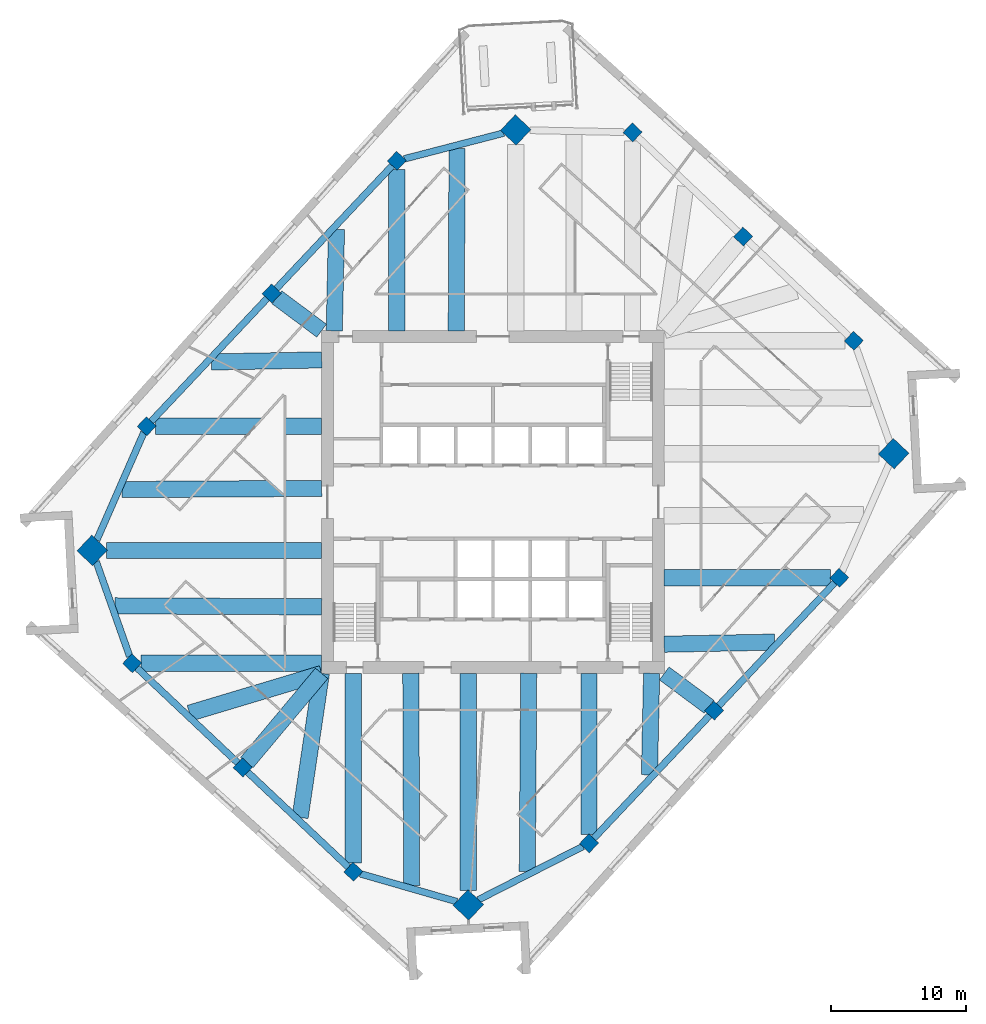
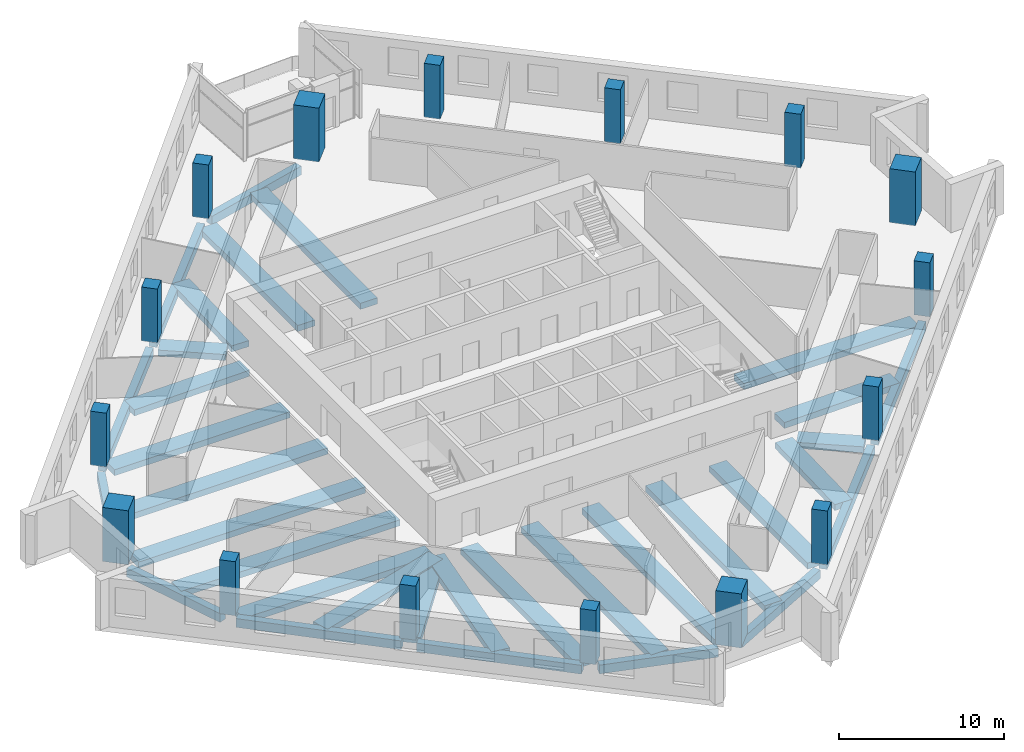
# One storey, part 1 of 12: 33 beams, 16 columns.
"""IFC4 building model written with IfcOpenShell, lengths in metres."""

from ifc_helpers import new_model, si_unit, direction, frame, origin, origin_2d, place, context, subcontext, project, spatial, rectangle, extrude, material, material_profile, profile_set, type_object, element, save


model = new_model("IFC4")

# Units and contexts
model_context = context("Model", 3, precision=1e-05, world=origin(), true_north=direction((0.0, 1.0)))
body_context = subcontext(model_context, "Body", "Model", "MODEL_VIEW")
ifc_project = project(units=[si_unit("LENGTHUNIT", "METRE"), si_unit("AREAUNIT", "SQUARE_METRE"), si_unit("VOLUMEUNIT", "CUBIC_METRE"), si_unit("PLANEANGLEUNIT", "RADIAN"), si_unit("MASSUNIT", "GRAM", prefix="KILO")], contexts=[model_context])

# Site, building, storey
site_placement = place(None, origin())
site = spatial("IfcSite", under=ifc_project, at=site_placement, CompositionType="ELEMENT")
building_placement = place(site_placement, origin())
building = spatial("IfcBuilding", under=site, at=building_placement, Name="Dilmun Exchange Tower", CompositionType="ELEMENT")
storey_placement = place(building_placement, frame((0.0, 0.0, 217.300048828125)))
storey = spatial("IfcBuildingStorey", under=building, at=storey_placement, Name="L51", CompositionType="ELEMENT", Elevation=217.300048828125)

# Columns
ifc_material_1 = material(Name="Concrete C60/75", Category="concrete")
ifc_material_profile_1 = material_profile(ifc_material_1, rectangle(XDim=1.60009765625, YDim=1.60009765625, at=origin_2d()), Name="1600 x 1600")
ifc_profile_set_1 = profile_set([ifc_material_profile_1], Name="Concrete C60/75")
column_type_1 = type_object("IfcColumnType", Name="RC mega column 1600 x 1600 C60/75", PredefinedType="COLUMN", material=ifc_profile_set_1)
for number, where, z_axis, x_axis, name in (
    (1, (1.68505859375, 27.5380859375, 0.0), (0.0, 0.0, 1.0), (0.685916152371, 0.727680583715, 0.0), "Mega column M1"),
    (2, (-29.658935546875, -3.58203125, 0.0), (0.0, 0.0, 1.0), (0.685916152371, 0.727680583715, 0.0), "Mega column M2"),
    (3, (-1.824951171875, -29.818115234375, 0.0), (0.0, 0.0, 1.0), (0.685916152371, 0.727680583715, 0.0), "Mega column M3"),
    (4, (29.658935546875, 3.58203125, 0.0), (0.0, 0.0, 1.0), (0.685916152371, 0.727680583715, 0.0), "Mega column M4"),
):
    element("IfcColumn", number, at=place(storey_placement, frame(where, z_axis=z_axis, x_axis=x_axis)), inside=storey, type_object=column_type_1, Name=name, PredefinedType="COLUMN", context=body_context, shape_type="SweptSolid", body=[
        extrude(rectangle(XDim=1.60009765625, YDim=1.60009765625, at=origin_2d()), origin(), (0.0, 0.0, 1.0), 4.0),
    ])
ifc_material_profile_2 = material_profile(ifc_material_1, rectangle(XDim=1.0, YDim=1.0, at=origin_2d()), Name="1000 x 1000")
ifc_profile_set_2 = profile_set([ifc_material_profile_2], Name="Concrete C60/75")
column_type_2 = type_object("IfcColumnType", Name="RC ring column 1000 x 1000 C60/75", PredefinedType="COLUMN", material=ifc_profile_set_2)
for number, where, z_axis, x_axis, name in (
    (5, (-7.113037109375, 25.257080078125, 0.0), (0.0, 0.0, 1.0), (0.685916152371, 0.727680583715, 0.0), "Ring column R01"),
    (6, (-16.373046875, 15.43310546875, 0.0), (0.0, 0.0, 1.0), (0.685916152371, 0.727680583715, 0.0), "Ring column R02"),
    (7, (-25.633056640625, 5.60888671875, 0.0), (0.0, 0.0, 1.0), (0.685916152371, 0.727680583715, 0.0), "Ring column R03"),
    (8, (-26.7060546875, -11.930908203125, 0.0), (0.0, 0.0, 1.0), (0.685916152371, 0.727680583715, 0.0), "Ring column R04"),
    (9, (-18.52001953125, -19.64697265625, 0.0), (0.0, 0.0, 1.0), (0.685916152371, 0.727680583715, 0.0), "Ring column R05"),
    (10, (-10.3330078125, -27.364013671875, 0.0), (0.0, 0.0, 1.0), (0.685916152371, 0.727680583715, 0.0), "Ring column R06"),
    (11, (7.113037109375, -25.257080078125, 0.0), (0.0, 0.0, 1.0), (0.685916152371, 0.727680583715, 0.0), "Ring column R07"),
    (12, (16.373046875, -15.43310546875, 0.0), (0.0, 0.0, 1.0), (0.685916152371, 0.727680583715, 0.0), "Ring column R08"),
    (13, (25.633056640625, -5.60888671875, 0.0), (0.0, 0.0, 1.0), (0.685916152371, 0.727680583715, 0.0), "Ring column R09"),
    (14, (26.7060546875, 11.930908203125, 0.0), (0.0, 0.0, 1.0), (0.685916152371, 0.727680583715, 0.0), "Ring column R10"),
    (15, (18.52001953125, 19.64697265625, 0.0), (0.0, 0.0, 1.0), (0.685916152371, 0.727680583715, 0.0), "Ring column R11"),
    (16, (10.3330078125, 27.364013671875, 0.0), (0.0, 0.0, 1.0), (0.685916152371, 0.727680583715, 0.0), "Ring column R12"),
):
    element("IfcColumn", number, at=place(storey_placement, frame(where, z_axis=z_axis, x_axis=x_axis)), inside=storey, type_object=column_type_2, Name=name, PredefinedType="COLUMN", context=body_context, shape_type="SweptSolid", body=[
        extrude(rectangle(XDim=1.0, YDim=1.0, at=origin_2d()), origin(), (0.0, 0.0, 1.0), 4.0),
    ])

# Beams
ifc_material_2 = material(Name="Concrete C40/50", Category="concrete")
ifc_material_profile_3 = material_profile(ifc_material_2, rectangle(XDim=1.199951171875, YDim=0.449951171875, at=origin_2d()), Name="1200 x 450")
ifc_profile_set_3 = profile_set([ifc_material_profile_3], Name="Concrete C40/50")
beam_type_1 = type_object("IfcBeamType", Name="RC band beam 1200 x 450 C40/50", PredefinedType="BEAM", material=ifc_profile_set_3)
beam_1_placement = place(storey_placement, frame((-7.113037109375, 24.596923828125, -0.705078125), z_axis=(0.0, -1.0, 0.0), x_axis=(1.0, 0.0, 0.0)))
element("IfcBeam", 17, at=beam_1_placement, inside=storey, type_object=beam_type_1, Name="Band beam 2", PredefinedType="BEAM", context=body_context, shape_type="SweptSolid", body=[
    extrude(rectangle(XDim=1.199951171875, YDim=0.449951171875, at=origin_2d()), origin(), (0.0, 0.0, 1.0), 11.923828125),
])
beam_2_placement = place(storey_placement, frame((-15.99072265625, 15.148681640625, -0.705078125), z_axis=(0.802264832552, -0.596968289317, 0.0), x_axis=(0.596968289317, 0.802264832552, 0.0)))
element("IfcBeam", 18, at=beam_2_placement, inside=storey, type_object=beam_type_1, Name="Band beam 3", PredefinedType="BEAM", context=body_context, shape_type="SweptSolid", body=[
    extrude(rectangle(XDim=1.199951171875, YDim=0.449951171875, at=origin_2d()), origin(), (0.0, 0.0, 1.0), 4.12890625),
])
beam_3_placement = place(storey_placement, frame((-24.972900390625, 5.60888671875, -0.705078125), z_axis=(1.0, 0.0, 0.0), x_axis=(0.0, 1.0, 0.0)))
element("IfcBeam", 19, at=beam_3_placement, inside=storey, type_object=beam_type_1, Name="Band beam 4", PredefinedType="BEAM", context=body_context, shape_type="SweptSolid", body=[
    extrude(rectangle(XDim=1.199951171875, YDim=0.449951171875, at=origin_2d()), origin(), (0.0, 0.0, 1.0), 12.2998046875),
])
beam_4_placement = place(storey_placement, frame((-28.586669921875, -3.58203125, -0.705078125), z_axis=(1.0, 0.0, 0.0), x_axis=(0.0, 1.0, 0.0)))
element("IfcBeam", 20, at=beam_4_placement, inside=storey, type_object=beam_type_1, Name="Band beam 5", PredefinedType="BEAM", context=body_context, shape_type="SweptSolid", body=[
    extrude(rectangle(XDim=1.199951171875, YDim=0.449951171875, at=origin_2d()), origin(), (0.0, 0.0, 1.0), 15.91357421875),
])
beam_5_placement = place(storey_placement, frame((-26.0458984375, -11.930908203125, -0.705078125), z_axis=(1.0, 0.0, 0.0), x_axis=(0.0, 1.0, 0.0)))
element("IfcBeam", 21, at=beam_5_placement, inside=storey, type_object=beam_type_1, Name="Band beam 6", PredefinedType="BEAM", context=body_context, shape_type="SweptSolid", body=[
    extrude(rectangle(XDim=1.199951171875, YDim=0.449951171875, at=origin_2d()), origin(), (0.0, 0.0, 1.0), 13.372802734375),
])
beam_6_placement = place(storey_placement, frame((-18.2158203125, -19.28369140625, -0.705078125), z_axis=(0.642200063897, 0.766537068856, 0.0), x_axis=(-0.766537068856, 0.642200063897, 0.0)))
element("IfcBeam", 22, at=beam_6_placement, inside=storey, type_object=beam_type_1, Name="Band beam 7", PredefinedType="BEAM", context=body_context, shape_type="SweptSolid", body=[
    extrude(rectangle(XDim=1.199951171875, YDim=0.449951171875, at=origin_2d()), origin(), (0.0, 0.0, 1.0), 8.615966796875),
])
beam_7_placement = place(storey_placement, frame((-10.3330078125, -26.703857421875, -0.705078125), z_axis=(0.0, 1.0, 0.0), x_axis=(-1.0, 0.0, 0.0)))
element("IfcBeam", 23, at=beam_7_placement, inside=storey, type_object=beam_type_1, Name="Band beam 8", PredefinedType="BEAM", context=body_context, shape_type="SweptSolid", body=[
    extrude(rectangle(XDim=1.199951171875, YDim=0.449951171875, at=origin_2d()), origin(), (0.0, 0.0, 1.0), 14.03076171875),
])
beam_8_placement = place(storey_placement, frame((-1.824951171875, -28.74560546875, -0.705078125), z_axis=(0.0, 1.0, 0.0), x_axis=(-1.0, 0.0, 0.0)))
element("IfcBeam", 24, at=beam_8_placement, inside=storey, type_object=beam_type_1, Name="Band beam 9", PredefinedType="BEAM", context=body_context, shape_type="SweptSolid", body=[
    extrude(rectangle(XDim=1.199951171875, YDim=0.449951171875, at=origin_2d()), origin(), (0.0, 0.0, 1.0), 16.072509765625),
])
beam_9_placement = place(storey_placement, frame((7.113037109375, -24.596923828125, -0.705078125), z_axis=(0.0, 1.0, 0.0), x_axis=(-1.0, 0.0, 0.0)))
element("IfcBeam", 25, at=beam_9_placement, inside=storey, type_object=beam_type_1, Name="Band beam 10", PredefinedType="BEAM", context=body_context, shape_type="SweptSolid", body=[
    extrude(rectangle(XDim=1.199951171875, YDim=0.449951171875, at=origin_2d()), origin(), (0.0, 0.0, 1.0), 11.923828125),
])
beam_10_placement = place(storey_placement, frame((15.99072265625, -15.148681640625, -0.705078125), z_axis=(-0.802264832552, 0.596968289317, 0.0), x_axis=(-0.596968289317, -0.802264832552, 0.0)))
element("IfcBeam", 26, at=beam_10_placement, inside=storey, type_object=beam_type_1, Name="Band beam 11", PredefinedType="BEAM", context=body_context, shape_type="SweptSolid", body=[
    extrude(rectangle(XDim=1.199951171875, YDim=0.449951171875, at=origin_2d()), origin(), (0.0, 0.0, 1.0), 4.12890625),
])
beam_11_placement = place(storey_placement, frame((24.972900390625, -5.60888671875, -0.705078125), z_axis=(-1.0, 0.0, 0.0), x_axis=(0.0, -1.0, 0.0)))
element("IfcBeam", 27, at=beam_11_placement, inside=storey, type_object=beam_type_1, Name="Band beam 12", PredefinedType="BEAM", context=body_context, shape_type="SweptSolid", body=[
    extrude(rectangle(XDim=1.199951171875, YDim=0.449951171875, at=origin_2d()), origin(), (0.0, 0.0, 1.0), 12.2998046875),
])
beam_12_placement = place(storey_placement, frame((-2.657958984375, 26.181640625, -0.60498046875), z_axis=(-0.004156765881, -0.999991360611, 0.0), x_axis=(0.999991360611, -0.004156765881, 0.0)))
element("IfcBeam", 28, at=beam_12_placement, inside=storey, type_object=beam_type_1, Name="Band beam 17", PredefinedType="BEAM", context=body_context, shape_type="SweptSolid", body=[
    extrude(rectangle(XDim=1.199951171875, YDim=0.449951171875, at=origin_2d()), origin(), (0.0, 0.0, 1.0), 13.508544921875),
])
beam_13_placement = place(storey_placement, frame((-11.580810546875, 20.19189453125, -0.60498046875), z_axis=(-0.021555532074, -0.999767652526, 0.0), x_axis=(0.999767652526, -0.021555532074, 0.0)))
element("IfcBeam", 29, at=beam_13_placement, inside=storey, type_object=beam_type_1, Name="Band beam 18", PredefinedType="BEAM", context=body_context, shape_type="SweptSolid", body=[
    extrude(rectangle(XDim=1.199951171875, YDim=0.449951171875, at=origin_2d()), origin(), (0.0, 0.0, 1.0), 7.5205078125),
])
beam_14_placement = place(storey_placement, frame((-20.8408203125, 10.367919921875, -0.60498046875), z_axis=(0.999824422594, 0.018738302585, 0.0), x_axis=(-0.018738302585, 0.999824422594, 0.0)))
element("IfcBeam", 30, at=beam_14_placement, inside=storey, type_object=beam_type_1, Name="Band beam 19", PredefinedType="BEAM", context=body_context, shape_type="SweptSolid", body=[
    extrude(rectangle(XDim=1.199951171875, YDim=0.449951171875, at=origin_2d()), origin(), (0.0, 0.0, 1.0), 8.169189453125),
])
beam_15_placement = place(storey_placement, frame((-27.441650390625, 0.924072265625, -0.60498046875), z_axis=(0.999981696912, 0.006050276087, 0.0), x_axis=(-0.006050276087, 0.999981696912, 0.0)))
element("IfcBeam", 31, at=beam_15_placement, inside=storey, type_object=beam_type_1, Name="Band beam 20", PredefinedType="BEAM", context=body_context, shape_type="SweptSolid", body=[
    extrude(rectangle(XDim=1.199951171875, YDim=0.449951171875, at=origin_2d()), origin(), (0.0, 0.0, 1.0), 14.768798828125),
])
beam_16_placement = place(storey_placement, frame((-27.972412109375, -7.68212890625, -0.60498046875), z_axis=(0.99998815601, -0.004867015408, 0.0), x_axis=(0.004867015408, 0.99998815601, 0.0)))
element("IfcBeam", 32, at=beam_16_placement, inside=storey, type_object=beam_type_1, Name="Band beam 21", PredefinedType="BEAM", context=body_context, shape_type="SweptSolid", body=[
    extrude(rectangle(XDim=1.199951171875, YDim=0.449951171875, at=origin_2d()), origin(), (0.0, 0.0, 1.0), 15.299560546875),
])
beam_17_placement = place(storey_placement, frame((-22.4599609375, -15.626708984375, -0.60498046875), z_axis=(0.957849959988, 0.287268957862, 0.0), x_axis=(-0.287268957862, 0.957849959988, 0.0)))
element("IfcBeam", 33, at=beam_17_placement, inside=storey, type_object=beam_type_1, Name="Band beam 22", PredefinedType="BEAM", context=body_context, shape_type="SweptSolid", body=[
    extrude(rectangle(XDim=1.199951171875, YDim=0.449951171875, at=origin_2d()), origin(), (0.0, 0.0, 1.0), 10.21630859375),
])
beam_18_placement = place(storey_placement, frame((-14.2734375, -23.34326171875, -0.60498046875), z_axis=(0.146268101323, 0.989244986106, 0.0), x_axis=(-0.989244986106, 0.146268101323, 0.0)))
element("IfcBeam", 34, at=beam_18_placement, inside=storey, type_object=beam_type_1, Name="Band beam 23", PredefinedType="BEAM", context=body_context, shape_type="SweptSolid", body=[
    extrude(rectangle(XDim=1.199951171875, YDim=0.449951171875, at=origin_2d()), origin(), (0.0, 0.0, 1.0), 10.785888671875),
])
beam_19_placement = place(storey_placement, frame((-6.01708984375, -28.376708984375, -0.60498046875), z_axis=(-0.003948851398, 0.999992203256, 0.0), x_axis=(-0.999992203256, -0.003948851398, 0.0)))
element("IfcBeam", 35, at=beam_19_placement, inside=storey, type_object=beam_type_1, Name="Band beam 24", PredefinedType="BEAM", context=body_context, shape_type="SweptSolid", body=[
    extrude(rectangle(XDim=1.199951171875, YDim=0.449951171875, at=origin_2d()), origin(), (0.0, 0.0, 1.0), 15.703857421875),
])
beam_20_placement = place(storey_placement, frame((2.54248046875, -27.3388671875, -0.60498046875), z_axis=(0.006924972536, 0.99997602209, 0.0), x_axis=(-0.99997602209, 0.006924972536, 0.0)))
element("IfcBeam", 36, at=beam_20_placement, inside=storey, type_object=beam_type_1, Name="Band beam 25", PredefinedType="BEAM", context=body_context, shape_type="SweptSolid", body=[
    extrude(rectangle(XDim=1.199951171875, YDim=0.449951171875, at=origin_2d()), origin(), (0.0, 0.0, 1.0), 14.666015625),
])
beam_21_placement = place(storey_placement, frame((11.580810546875, -20.19189453125, -0.60498046875), z_axis=(0.021555532074, 0.999767652526, 0.0), x_axis=(-0.999767652526, 0.021555532074, 0.0)))
element("IfcBeam", 37, at=beam_21_placement, inside=storey, type_object=beam_type_1, Name="Band beam 26", PredefinedType="BEAM", context=body_context, shape_type="SweptSolid", body=[
    extrude(rectangle(XDim=1.199951171875, YDim=0.449951171875, at=origin_2d()), origin(), (0.0, 0.0, 1.0), 7.5205078125),
])
beam_22_placement = place(storey_placement, frame((20.8408203125, -10.367919921875, -0.60498046875), z_axis=(-0.999824422594, -0.018738302585, 0.0), x_axis=(0.018738302585, -0.999824422594, 0.0)))
element("IfcBeam", 38, at=beam_22_placement, inside=storey, type_object=beam_type_1, Name="Band beam 27", PredefinedType="BEAM", context=body_context, shape_type="SweptSolid", body=[
    extrude(rectangle(XDim=1.199951171875, YDim=0.449951171875, at=origin_2d()), origin(), (0.0, 0.0, 1.0), 8.169189453125),
])
ifc_material_profile_4 = material_profile(ifc_material_2, rectangle(XDim=0.5, YDim=0.64990234375, at=origin_2d()), Name="500 x 650")
ifc_profile_set_4 = profile_set([ifc_material_profile_4], Name="Concrete C40/50")
beam_type_2 = type_object("IfcBeamType", Name="RC ring beam 500 x 650 C40/50", PredefinedType="SPANDREL", material=ifc_profile_set_4)
beam_23_placement = place(storey_placement, frame((0.79638671875, 27.3076171875, -0.705078125), z_axis=(-0.967995165605, -0.250968841424, 0.0), x_axis=(0.250968841424, -0.967995165605, 0.0)))
element("IfcBeam", 39, at=beam_23_placement, inside=storey, type_object=beam_type_2, Name="Ring beam 1", PredefinedType="SPANDREL", context=body_context, shape_type="SweptSolid", body=[
    extrude(rectangle(XDim=0.5, YDim=0.64990234375, at=origin_2d()), origin(), (0.0, 0.0, 1.0), 7.607177734375),
])
for number, where, z_axis, x_axis, name in (
    (40, (-7.4375, 24.912841796875, -0.705078125), (-0.685902559512, -0.727693396188, 0.0), (0.727693396188, -0.685902559512, 0.0), "Ring beam 2"),
    (41, (-16.697509765625, 15.0888671875, -0.705078125), (-0.685902559512, -0.727693396188, 0.0), (0.727693396188, -0.685902559512, 0.0), "Ring beam 3"),
):
    element("IfcBeam", number, at=place(storey_placement, frame(where, z_axis=z_axis, x_axis=x_axis)), inside=storey, type_object=beam_type_2, Name=name, PredefinedType="SPANDREL", context=body_context, shape_type="SweptSolid", body=[
        extrude(rectangle(XDim=0.5, YDim=0.64990234375, at=origin_2d()), origin(), (0.0, 0.0, 1.0), 12.554443359375),
    ])
beam_24_placement = place(storey_placement, frame((-25.835205078125, 5.1474609375, -0.705078125), z_axis=(-0.401239440722, -0.915973204416, 0.0), x_axis=(0.915973204416, -0.401239440722, 0.0)))
element("IfcBeam", 42, at=beam_24_placement, inside=storey, type_object=beam_type_2, Name="Ring beam 4", PredefinedType="SPANDREL", context=body_context, shape_type="SweptSolid", body=[
    extrude(rectangle(XDim=0.5, YDim=0.64990234375, at=origin_2d()), origin(), (0.0, 0.0, 1.0), 8.707763671875),
])
beam_25_placement = place(storey_placement, frame((-29.367919921875, -4.404541015625, -0.705078125), z_axis=(0.333423578623, -0.942777130195, 0.0), x_axis=(0.942777130195, 0.333423578623, 0.0)))
element("IfcBeam", 43, at=beam_25_placement, inside=storey, type_object=beam_type_2, Name="Ring beam 5", PredefinedType="SPANDREL", context=body_context, shape_type="SweptSolid", body=[
    extrude(rectangle(XDim=0.5, YDim=0.64990234375, at=origin_2d()), origin(), (0.0, 0.0, 1.0), 7.4482421875),
])
beam_26_placement = place(storey_placement, frame((-26.36181640625, -12.25537109375, -0.705078125), z_axis=(0.727685706374, -0.68591071776, 0.0), x_axis=(0.68591071776, 0.727685706374, 0.0)))
element("IfcBeam", 44, at=beam_26_placement, inside=storey, type_object=beam_type_2, Name="Ring beam 6", PredefinedType="SPANDREL", context=body_context, shape_type="SweptSolid", body=[
    extrude(rectangle(XDim=0.5, YDim=0.64990234375, at=origin_2d()), origin(), (0.0, 0.0, 1.0), 10.30322265625),
])
beam_27_placement = place(storey_placement, frame((-18.17578125, -19.971435546875, -0.705078125), z_axis=(0.727682990869, -0.685913598641, 0.0), x_axis=(0.685913598641, 0.727682990869, 0.0)))
element("IfcBeam", 45, at=beam_27_placement, inside=storey, type_object=beam_type_2, Name="Ring beam 7", PredefinedType="SPANDREL", context=body_context, shape_type="SweptSolid", body=[
    extrude(rectangle(XDim=0.5, YDim=0.64990234375, at=origin_2d()), origin(), (0.0, 0.0, 1.0), 10.3046875),
])
beam_28_placement = place(storey_placement, frame((-9.818603515625, -27.51220703125, -0.705078125), z_axis=(0.960825605861, -0.277153666983, 0.0), x_axis=(0.277153666983, 0.960825605861, 0.0)))
element("IfcBeam", 46, at=beam_28_placement, inside=storey, type_object=beam_type_2, Name="Ring beam 8", PredefinedType="SPANDREL", context=body_context, shape_type="SweptSolid", body=[
    extrude(rectangle(XDim=0.5, YDim=0.64990234375, at=origin_2d()), origin(), (0.0, 0.0, 1.0), 7.447021484375),
])
beam_29_placement = place(storey_placement, frame((-1.09228515625, -29.444091796875, -0.705078125), z_axis=(0.89072990219, 0.454532992581, 0.0), x_axis=(-0.454532992581, 0.89072990219, 0.0)))
element("IfcBeam", 47, at=beam_29_placement, inside=storey, type_object=beam_type_2, Name="Ring beam 9", PredefinedType="SPANDREL", context=body_context, shape_type="SweptSolid", body=[
    extrude(rectangle(XDim=0.5, YDim=0.64990234375, at=origin_2d()), origin(), (0.0, 0.0, 1.0), 8.707763671875),
])
for number, where, z_axis, x_axis, name in (
    (48, (7.4375, -24.912841796875, -0.705078125), (0.685902559512, 0.727693396188, 0.0), (-0.727693396188, 0.685902559512, 0.0), "Ring beam 10"),
    (49, (16.697509765625, -15.0888671875, -0.705078125), (0.685902559512, 0.727693396188, 0.0), (-0.727693396188, 0.685902559512, 0.0), "Ring beam 11"),
):
    element("IfcBeam", number, at=place(storey_placement, frame(where, z_axis=z_axis, x_axis=x_axis)), inside=storey, type_object=beam_type_2, Name=name, PredefinedType="SPANDREL", context=body_context, shape_type="SweptSolid", body=[
        extrude(rectangle(XDim=0.5, YDim=0.64990234375, at=origin_2d()), origin(), (0.0, 0.0, 1.0), 12.554443359375),
    ])

save(model, "model.ifc")
